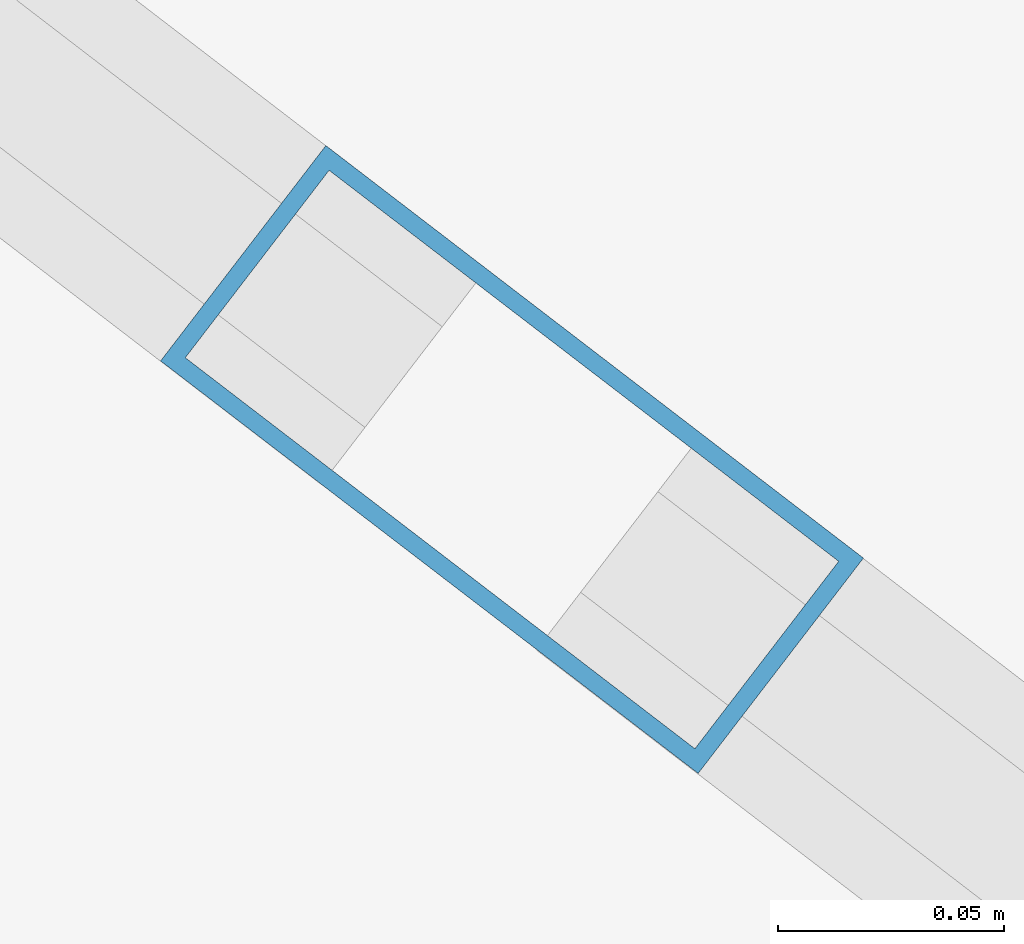
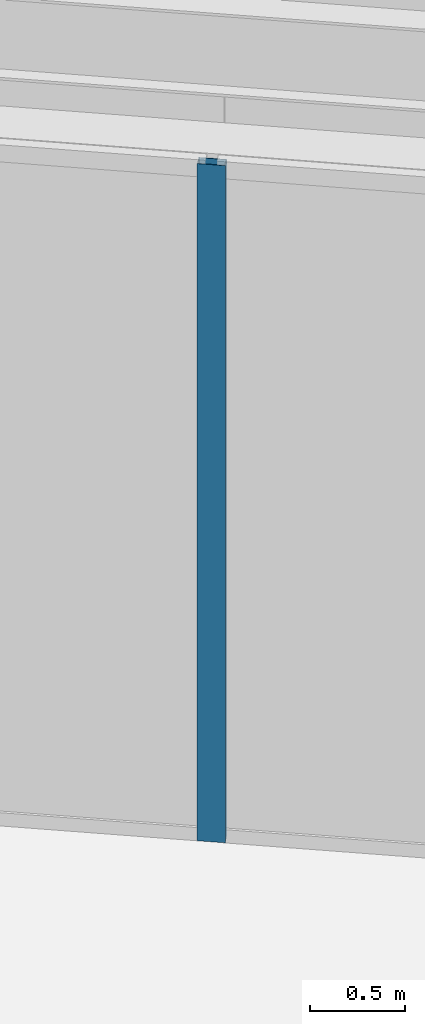
# One storey, part 52 of 116: 1 member, 1 element without a shape of its own.
"""IFC4 building model written with IfcOpenShell, lengths in metres."""

from ifc_helpers import new_model, si_unit, direction, frame, origin, origin_2d, place, context, subcontext, project, spatial, hollow_rectangle, extrude, material, material_profile, profile_set, type_object, element, aggregate, save


model = new_model("IFC4")

# Units and contexts
model_context = context("Model", 3, precision=1e-05, world=origin(), true_north=direction((0.0, 1.0)))
body_context = subcontext(model_context, "Body", "Model", "MODEL_VIEW")
ifc_project = project(units=[si_unit("LENGTHUNIT", "METRE"), si_unit("AREAUNIT", "SQUARE_METRE"), si_unit("VOLUMEUNIT", "CUBIC_METRE"), si_unit("PLANEANGLEUNIT", "RADIAN"), si_unit("MASSUNIT", "GRAM", prefix="KILO")], contexts=[model_context])

# Site, building, storey
site_placement = place(None, origin())
site = spatial("IfcSite", under=ifc_project, at=site_placement, CompositionType="ELEMENT")
building_placement = place(site_placement, origin())
building = spatial("IfcBuilding", under=site, at=building_placement, Name="Almandine Court Research Institute", CompositionType="ELEMENT")
storey_placement = place(building_placement, frame((0.0, 0.0, 14.35009765625)))
storey = spatial("IfcBuildingStorey", under=building, at=storey_placement, Name="L03", CompositionType="ELEMENT", Elevation=14.35009765625)

# Curtain wall, member
ifc_material_1 = material(Name="Unitised Curtain Wall Framing and Solar Glazing", Category="glass")
curtain_wall_type = type_object("IfcCurtainWallType", Name="CW-CWG-24", PredefinedType="USERDEFINED", material=ifc_material_1)
curtain_wall_placement = place(storey_placement, origin())
curtain_wall = element("IfcCurtainWall", 1, at=curtain_wall_placement, inside=storey, type_object=curtain_wall_type, Name="L03 Interaction Atrium Perimeter Curtain Wall 03", ObjectType="UNITISED GLAZING", PredefinedType="USERDEFINED")
ifc_material_2 = material(Name="Anodised Aluminium AW-6063-T6", Category="aluminium")
ifc_material_profile = material_profile(ifc_material_2, hollow_rectangle(XDim=0.06005859375, YDim=0.14990234375, WallThickness=0.00390625, at=origin_2d()), Name="ALU RHS 60x150x4")
ifc_profile_set = profile_set([ifc_material_profile], Name="Anodised Aluminium AW-6063-T6")
member_type = type_object("IfcMemberType", Name="CWMul-60x150", PredefinedType="MULLION", material=ifc_profile_set)
member_placement = place(storey_placement, frame((109.72412109375, 85.614501953125, 0.0), z_axis=(0.0, 0.0, 1.0), x_axis=(0.608760667029, 0.793353924979, 0.0)))
member = element("IfcMember", 2, at=member_placement, type_object=member_type, Name="CWG-24 mullion 2", PredefinedType="MULLION", context=body_context, shape_type="SweptSolid", body=[
    extrude(hollow_rectangle(XDim=0.06005859375, YDim=0.14990234375, WallThickness=0.00390625, at=origin_2d()), origin(), (0.0, 0.0, 1.0), 4.369873046875),
])
aggregate(curtain_wall, [member])

save(model, "model.ifc")
